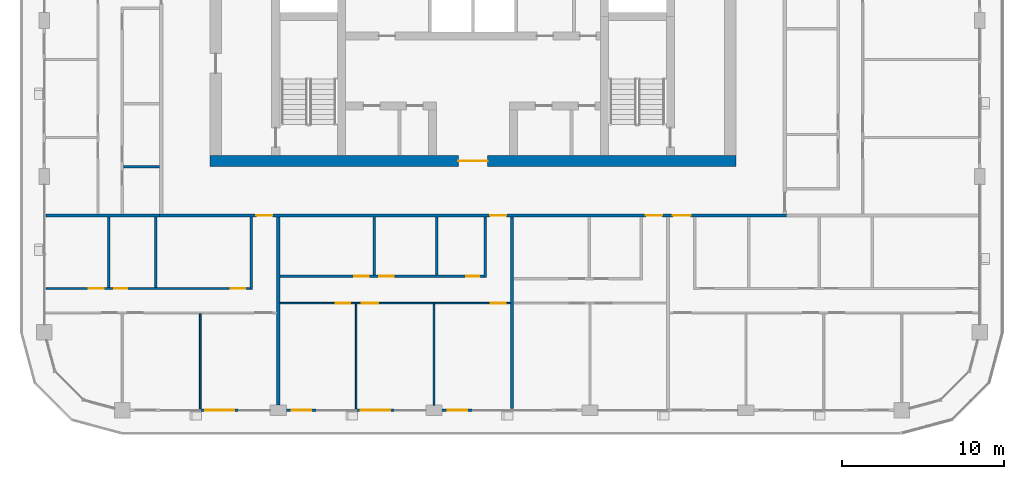
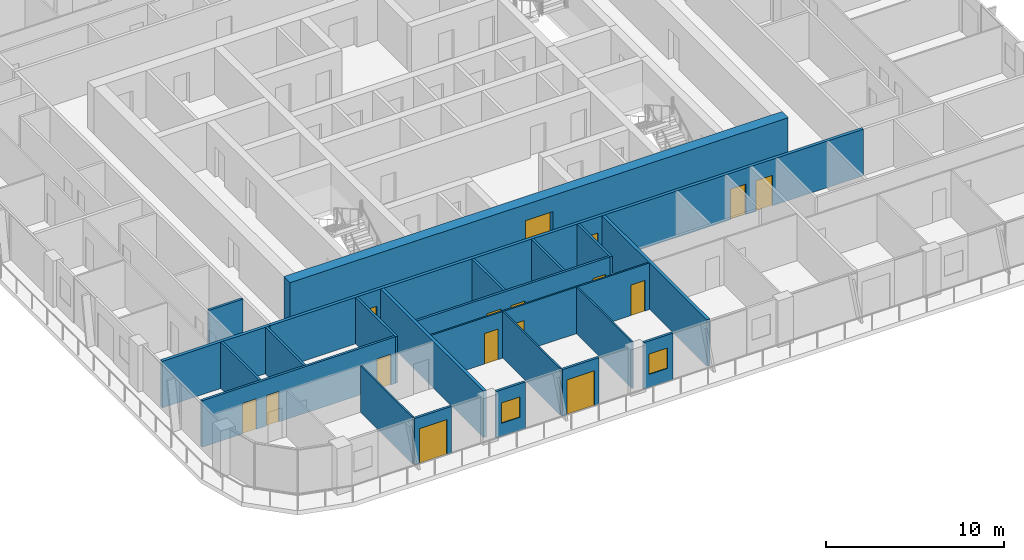
# One storey, part 9 of 22: 22 walls, 16 doors, 2 windows, 18 openings.
"""IFC4 building model written with IfcOpenShell, lengths in metres."""

import ifcopenshell
import ifcopenshell.guid

model = None  # the IFC model being written
_history = None  # IfcOwnerHistory: only IFC2X3 demands one
_inside = {}  # id of a spatial element -> (the spatial element, [elements in it])
_under = {}  # id of a project, library or spatial element -> (it, [spatial elements below it])
_declared = {}  # id of a project -> (the project, [libraries it declares])
_typed = {}  # id of a type object -> (the type object, [elements of that type])
_made_of = {}  # id of a material, layer set ... -> (it, [elements and type objects made of it])


def new_model(schema):
    """Start an empty IFC model of exactly this schema.

    Asked for "IFC4X3", IfcOpenShell would pick the latest addendum, in which some entities
    have other attributes; the version numbers below select the first issue.
    IFC2X3 requires an IfcOwnerHistory on every rooted entity: one is made here for all.
    """
    global model, _history
    if schema == "IFC4X3":
        model = ifcopenshell.file(schema_version=(4, 3, 0, 0))
    else:
        model = ifcopenshell.file(schema=schema)
    _inside.clear()
    _under.clear()
    _declared.clear()
    _typed.clear()
    _made_of.clear()
    _history = None
    if model.schema == "IFC2X3":
        org = make("IfcOrganization", Name="unknown")
        user = make(
            "IfcPersonAndOrganization",
            ThePerson=make("IfcPerson", FamilyName="unknown"),
            TheOrganization=org,
        )
        app = make(
            "IfcApplication",
            ApplicationDeveloper=org,
            Version="unknown",
            ApplicationFullName="unknown",
            ApplicationIdentifier="unknown",
        )
        _history = make(
            "IfcOwnerHistory",
            OwningUser=user,
            OwningApplication=app,
            ChangeAction="ADDED",
            CreationDate=0,
        )
    return model


def make(cls, **values):
    """One entity of the class cls with the attributes given. An attribute that is None is left unset."""
    return model.create_entity(
        cls, **{name: value for name, value in values.items() if value is not None}
    )


def rooted(cls, **values):
    """An entity with a GlobalId (a new one), such as an element, a storey or a relation."""
    return make(cls, GlobalId=ifcopenshell.guid.new(), OwnerHistory=_history, **values)


def si_unit(unit_type, name, prefix=None):
    """IfcSIUnit, for example si_unit("LENGTHUNIT", "METRE", prefix="MILLI")."""
    return make("IfcSIUnit", UnitType=unit_type, Prefix=prefix, Name=name)


def assignment(units):
    """IfcUnitAssignment: the units of a project."""
    return None if units is None else make("IfcUnitAssignment", Units=units)


def point(xyz):
    """IfcCartesianPoint."""
    return None if xyz is None else make("IfcCartesianPoint", Coordinates=xyz)


def direction(xyz):
    """IfcDirection."""
    return None if xyz is None else make("IfcDirection", DirectionRatios=xyz)


def frame(location, z_axis=None, x_axis=None):
    """IfcAxis2Placement3D, a coordinate frame: its origin and axes. An axis left out is left unset."""
    return make(
        "IfcAxis2Placement3D",
        Location=point(location),
        Axis=direction(z_axis),
        RefDirection=direction(x_axis),
    )


def frame_2d(location, x_axis=None):
    """IfcAxis2Placement2D, a coordinate frame in the plane: its origin and x axis."""
    return make(
        "IfcAxis2Placement2D", Location=point(location), RefDirection=direction(x_axis)
    )


def origin():
    """The frame at (0, 0, 0) with its axes left unset."""
    return frame((0.0, 0.0, 0.0))


def place(relative_to, where):
    """IfcLocalPlacement: puts the frame where relative to a parent placement (None: the world)."""
    return make(
        "IfcLocalPlacement", PlacementRelTo=relative_to, RelativePlacement=where
    )


def context(
    kind, dimensions, precision=None, world=None, true_north=None, identifier=None
):
    """IfcGeometricRepresentationContext, for example the 3D "Model" context."""
    return make(
        "IfcGeometricRepresentationContext",
        ContextIdentifier=identifier,
        ContextType=kind,
        CoordinateSpaceDimension=dimensions,
        Precision=precision,
        WorldCoordinateSystem=world,
        TrueNorth=true_north,
    )


def subcontext(parent, identifier, kind, view, scale=None):
    """IfcGeometricRepresentationSubContext, for example "Body" below "Model"."""
    return make(
        "IfcGeometricRepresentationSubContext",
        ContextIdentifier=identifier,
        ContextType=kind,
        ParentContext=parent,
        TargetScale=scale,
        TargetView=view,
    )


def project(units=None, contexts=None):
    """IfcProject with its units and contexts."""
    return rooted(
        "IfcProject",
        Name="project",
        RepresentationContexts=contexts,
        UnitsInContext=assignment(units),
    )


def spatial(cls, under=None, at=None, **own):
    """A site, building, storey or space (cls), placed at a placement, below another one or the project."""
    s = rooted(cls, ObjectPlacement=at, **own)
    if under is not None:
        _under.setdefault(under.id(), (under, []))[1].append(s)
    return s


def profile(cls, at=None, kind="AREA", **sizes):
    """A parametric profile (cls). Its sizes go by their IFC names, for example OverallWidth=200.0."""
    return make(cls, ProfileType=kind, Position=at, **sizes)


def rectangle(**sizes):
    """IfcRectangleProfileDef."""
    return profile("IfcRectangleProfileDef", **sizes)


def extrude(swept, where, along, depth):
    """IfcExtrudedAreaSolid: the profile swept, set in the frame where, extruded along a direction by depth."""
    return make(
        "IfcExtrudedAreaSolid",
        SweptArea=swept,
        Position=where,
        ExtrudedDirection=direction(along),
        Depth=depth,
    )


def shape(context_of_items, identifier, shape_type, items):
    """IfcShapeRepresentation: the items that make up one representation, for example the "Body"."""
    return make(
        "IfcShapeRepresentation",
        ContextOfItems=context_of_items,
        RepresentationIdentifier=identifier,
        RepresentationType=shape_type,
        Items=items,
    )


def material(Name=None, Category=None):
    """IfcMaterial."""
    return make("IfcMaterial", Name=Name, Category=Category)


def layer(
    of_material, thickness, ventilated=None, Name=None, Category=None, Priority=None
):
    """IfcMaterialLayer: one layer of a wall or slab, of a material (None: an air gap)."""
    return make(
        "IfcMaterialLayer",
        Material=of_material,
        LayerThickness=thickness,
        IsVentilated=ventilated,
        Name=Name,
        Category=Category,
        Priority=Priority,
    )


def layer_set(layers, Name=None):
    """IfcMaterialLayerSet."""
    return make("IfcMaterialLayerSet", MaterialLayers=layers, LayerSetName=Name)


def made_of(thing, what):
    """Note that an element or type object is made of a material, layer set ...; save() writes the relation."""
    if what is not None:
        _made_of.setdefault(what.id(), (what, []))[1].append(thing)
    return thing


def type_object(cls, material=None, **own):
    """A type object (cls), such as IfcWallType, which elements share."""
    return made_of(rooted(cls, **own), material)


def element(
    cls,
    number,
    at=None,
    inside=None,
    cuts=None,
    type_object=None,
    material=None,
    context=None,
    identifier="Body",
    shape_type=None,
    held_by="IfcProductDefinitionShape",
    body=None,
    shapes=None,
    **own,
):
    """One element of the class cls, such as IfcWall. Its Tag is "e" and its number.

    at: its placement. inside: the storey or other place that contains it. cuts: it is an
    opening in that element (IfcRelVoidsElement). A single representation is given by context,
    identifier, shape_type and body (its items); several are given by shapes. held_by: the class
    of the entity that holds the representations. save() writes the other relations.
    """
    e = rooted(cls, Tag="e%d" % number, ObjectPlacement=at, **own)
    if body is not None:
        shapes = [shape(context, identifier, shape_type, body)]
    if shapes is not None:
        e.Representation = make(held_by, Representations=shapes)
    if inside is not None:
        _inside.setdefault(inside.id(), (inside, []))[1].append(e)
    if cuts is not None:
        rooted(
            "IfcRelVoidsElement", RelatingBuildingElement=cuts, RelatedOpeningElement=e
        )
    if type_object is not None:
        _typed.setdefault(type_object.id(), (type_object, []))[1].append(e)
    return made_of(e, material)


def fill(opening, filler):
    """IfcRelFillsElement: the door or window that sits in an opening."""
    return rooted(
        "IfcRelFillsElement",
        RelatingOpeningElement=opening,
        RelatedBuildingElement=filler,
    )


def aggregate(whole, parts):
    """IfcRelAggregates: a whole, such as a stair, and the parts it consists of."""
    return rooted("IfcRelAggregates", RelatingObject=whole, RelatedObjects=parts)


def save(model, path):
    """Write the relations noted so far, then the file.

    IfcRelAggregates (storeys below a building ...), IfcRelContainedInSpatialStructure (elements
    in a storey), IfcRelDefinesByType, IfcRelAssociatesMaterial and IfcRelDeclares: one each for
    every whole, place, type object, material and project.
    """
    for whole, parts in _under.values():
        aggregate(whole, parts)
    for where, things in _inside.values():
        rooted(
            "IfcRelContainedInSpatialStructure",
            RelatedElements=things,
            RelatingStructure=where,
        )
    for kind, things in _typed.values():
        rooted("IfcRelDefinesByType", RelatedObjects=things, RelatingType=kind)
    for what, things in _made_of.values():
        rooted("IfcRelAssociatesMaterial", RelatedObjects=things, RelatingMaterial=what)
    for by, libraries in _declared.values():
        rooted("IfcRelDeclares", RelatingContext=by, RelatedDefinitions=libraries)
    model.write(path)


model = new_model("IFC4")

# Units and contexts
model_context = context("Model", 3, precision=1e-05, world=origin(), true_north=direction((0.0, 1.0)))
body_context = subcontext(model_context, "Body", "Model", "MODEL_VIEW")
ifc_project = project(units=[si_unit("LENGTHUNIT", "METRE"), si_unit("AREAUNIT", "SQUARE_METRE"), si_unit("VOLUMEUNIT", "CUBIC_METRE"), si_unit("PLANEANGLEUNIT", "RADIAN"), si_unit("MASSUNIT", "GRAM", prefix="KILO")], contexts=[model_context])

# Site, building, storey
site_placement = place(None, origin())
site = spatial("IfcSite", under=ifc_project, at=site_placement, CompositionType="ELEMENT")
building_placement = place(site_placement, origin())
building = spatial("IfcBuilding", under=site, at=building_placement, Name="Madar Terraces", CompositionType="ELEMENT")
storey_placement = place(building_placement, frame((0.0, 0.0, 182.39990234375)))
storey = spatial("IfcBuildingStorey", under=building, at=storey_placement, Name="L47", CompositionType="ELEMENT", Elevation=182.39990234375)

# Wall, opening, door
ifc_material_1 = material(Name="Concrete C60/75", Category="concrete")
ifc_layer_1 = layer(ifc_material_1, 0.699951171875)
ifc_layer_set_1 = layer_set([ifc_layer_1], Name="Concrete C60/75 (CRW4 RC wall 700)")
wall_type_1 = type_object("IfcWallType", Name="CRW4 RC wall 700", PredefinedType="SHEAR", material=ifc_layer_set_1)
wall_1_placement = place(storey_placement, frame((15.0, 15.35009765625, 0.0), z_axis=(0.0, 0.0, 1.0), x_axis=(1.0, 0.0, 0.0)))
wall_1 = element("IfcWall", 1, at=wall_1_placement, inside=storey, type_object=wall_type_1, Name="CORE OUTER WALL", PredefinedType="SHEAR", context=body_context, shape_type="SweptSolid", body=[
    extrude(rectangle(XDim=32.39990234375, YDim=0.699951171875, at=frame_2d((16.199951171875, 0.0))), origin(), (0.0, 0.0, 1.0), 3.2001953125),
])
opening_1_placement = place(wall_1_placement, frame((15.300048828125, 0.0, 0.0)))
opening_1 = element("IfcOpeningElement", 2, at=opening_1_placement, cuts=wall_1, Name="Opening KD1", PredefinedType="OPENING", context=body_context, shape_type="SweptSolid", body=[
    extrude(rectangle(XDim=1.800048828125, YDim=2.10009765625, at=frame_2d((0.89990234375, 1.050048828125))), frame((0.0, 0.35986328125, 0.0), z_axis=(0.0, -1.0, 0.0), x_axis=(1.0, 0.0, 0.0)), (0.0, 0.0, 1.0), 0.719970703125),
])
ifc_material_2 = material(Name="Steel door leaf", Category="steel")
door_type_1 = type_object("IfcDoorType", Name="Lobby door pair 1800 x 2100", OperationType="DOUBLE_DOOR_SINGLE_SWING", PredefinedType="DOOR", material=ifc_material_2)
door_1_placement = place(opening_1_placement, frame((1.800048828125, 0.0, 0.0), z_axis=(0.0, 0.0, 1.0), x_axis=(-1.0, 0.0, 0.0)))
door_1 = element("IfcDoor", 3, at=door_1_placement, inside=storey, type_object=door_type_1, Name="LIFT LOBBY DOOR", OperationType="DOUBLE_DOOR_SINGLE_SWING", OverallHeight=2.10009765625, OverallWidth=1.800048828125, PredefinedType="DOOR", context=body_context, shape_type="SweptSolid", body=[
    extrude(rectangle(XDim=1.800048828125, YDim=2.10009765625, at=frame_2d((0.89990234375, 1.050048828125))), frame((0.0, 0.02490234375, 0.0), z_axis=(0.0, -1.0, 0.0), x_axis=(1.0, 0.0, 0.0)), (0.0, 0.0, 1.0), 0.050048828125),
])
fill(opening_1, door_1)

ifc_material_3 = material(Name="Aluminium composite panel, black, over insulated backing", Category="aluminium")
ifc_layer_2 = layer(ifc_material_3, 0.14990234375)
ifc_layer_set_2 = layer_set([ifc_layer_2], Name="Facade bay panel 150")
wall_type_2 = type_object("IfcWallType", Name="Facade bay panel 150", PredefinedType="SOLIDWALL", material=ifc_layer_set_2)
wall_2_placement = place(storey_placement, frame((14.39990234375, 0.0, 0.0), z_axis=(0.0, 0.0, 1.0), x_axis=(1.0, 0.0, 0.0)))
wall_2 = element("IfcWall", 4, at=wall_2_placement, inside=storey, type_object=wall_type_2, Name="Facade bay panel", PredefinedType="SOLIDWALL", context=body_context, shape_type="SweptSolid", body=[
    extrude(rectangle(XDim=2.400146484375, YDim=0.14990234375, at=frame_2d((1.2001953125, 0.0))), origin(), (0.0, 0.0, 1.0), 3.2001953125),
])
opening_2_placement = place(wall_2_placement, frame((0.300048828125, 0.0, 0.0)))
opening_2 = element("IfcOpeningElement", 5, at=opening_2_placement, cuts=wall_2, Name="Opening ED1", PredefinedType="OPENING", context=body_context, shape_type="SweptSolid", body=[
    extrude(rectangle(XDim=1.800048828125, YDim=2.39990234375, at=frame_2d((0.89990234375, 1.199951171875))), frame((0.0, 0.0849609375, 0.0), z_axis=(0.0, -1.0, 0.0), x_axis=(1.0, 0.0, 0.0)), (0.0, 0.0, 1.0), 0.169921875),
])
ifc_material_4 = material(Name="Glass, clear, with black aluminium frame", Category="aluminium")
door_type_2 = type_object("IfcDoorType", Name="Balcony and terrace sliding door 1800 x 2400", OperationType="SLIDING_TO_LEFT", PredefinedType="DOOR", material=ifc_material_4)
door_2_placement = place(opening_2_placement, origin())
door_2 = element("IfcDoor", 6, at=door_2_placement, inside=storey, type_object=door_type_2, Name="Balcony door", OperationType="SLIDING_TO_LEFT", OverallHeight=2.39990234375, OverallWidth=1.800048828125, PredefinedType="DOOR", context=body_context, shape_type="SweptSolid", body=[
    extrude(rectangle(XDim=1.800048828125, YDim=2.39990234375, at=frame_2d((0.89990234375, 1.199951171875))), frame((0.0, 0.02490234375, 0.0), z_axis=(0.0, -1.0, 0.0), x_axis=(1.0, 0.0, 0.0)), (0.0, 0.0, 1.0), 0.050048828125),
])
fill(opening_2, door_2)

# Wall, opening, window
wall_3_placement = place(storey_placement, frame((19.699951171875, 0.0, 0.0), z_axis=(0.0, 0.0, 1.0), x_axis=(1.0, 0.0, 0.0)))
wall_3 = element("IfcWall", 7, at=wall_3_placement, inside=storey, type_object=wall_type_2, Name="Facade bay panel", PredefinedType="SOLIDWALL", context=body_context, shape_type="SweptSolid", body=[
    extrude(rectangle(XDim=1.900146484375, YDim=0.14990234375, at=frame_2d((0.9501953125, 0.0))), origin(), (0.0, 0.0, 1.0), 3.2001953125),
])
opening_3_placement = place(wall_3_placement, frame((0.35009765625, 0.0, 0.89990234375)))
opening_3 = element("IfcOpeningElement", 8, at=opening_3_placement, cuts=wall_3, Name="Opening W1", PredefinedType="OPENING", context=body_context, shape_type="SweptSolid", body=[
    extrude(rectangle(XDim=1.199951171875, YDim=1.39990234375, at=frame_2d((0.60009765625, 0.699951171875))), frame((0.0, 0.0849609375, 0.0), z_axis=(0.0, -1.0, 0.0), x_axis=(1.0, 0.0, 0.0)), (0.0, 0.0, 1.0), 0.169921875),
])
ifc_material_5 = material(Name="Glass, clear, with black aluminium frame", Category="aluminium")
window_type = type_object("IfcWindowType", Name="Vent window 1200 x 1400", PartitioningType="SINGLE_PANEL", PredefinedType="WINDOW", material=ifc_material_5)
window_1_placement = place(opening_3_placement, origin())
window_1 = element("IfcWindow", 9, at=window_1_placement, inside=storey, type_object=window_type, Name="Operable vent window", OverallHeight=1.39990234375, OverallWidth=1.199951171875, PartitioningType="SINGLE_PANEL", PredefinedType="WINDOW", context=body_context, shape_type="SweptSolid", body=[
    extrude(rectangle(XDim=1.199951171875, YDim=1.39990234375, at=frame_2d((0.60009765625, 0.699951171875))), frame((0.0, 0.030029296875, 0.0), z_axis=(0.0, -1.0, 0.0), x_axis=(1.0, 0.0, 0.0)), (0.0, 0.0, 1.0), 0.06005859375),
])
fill(opening_3, window_1)

# Wall, opening, door
wall_4_placement = place(storey_placement, frame((24.0, 0.0, 0.0), z_axis=(0.0, 0.0, 1.0), x_axis=(1.0, 0.0, 0.0)))
wall_4 = element("IfcWall", 10, at=wall_4_placement, inside=storey, type_object=wall_type_2, Name="Facade bay panel", PredefinedType="SOLIDWALL", context=body_context, shape_type="SweptSolid", body=[
    extrude(rectangle(XDim=2.39990234375, YDim=0.14990234375, at=frame_2d((1.199951171875, 0.0))), origin(), (0.0, 0.0, 1.0), 3.2001953125),
])
opening_4_placement = place(wall_4_placement, frame((0.300048828125, 0.0, 0.0)))
opening_4 = element("IfcOpeningElement", 11, at=opening_4_placement, cuts=wall_4, Name="Opening ED1", PredefinedType="OPENING", context=body_context, shape_type="SweptSolid", body=[
    extrude(rectangle(XDim=1.800048828125, YDim=2.39990234375, at=frame_2d((0.89990234375, 1.199951171875))), frame((0.0, 0.0849609375, 0.0), z_axis=(0.0, -1.0, 0.0), x_axis=(1.0, 0.0, 0.0)), (0.0, 0.0, 1.0), 0.169921875),
])
door_3_placement = place(opening_4_placement, origin())
door_3 = element("IfcDoor", 12, at=door_3_placement, inside=storey, type_object=door_type_2, Name="Balcony door", OperationType="SLIDING_TO_RIGHT", OverallHeight=2.39990234375, OverallWidth=1.800048828125, PredefinedType="DOOR", context=body_context, shape_type="SweptSolid", body=[
    extrude(rectangle(XDim=1.800048828125, YDim=2.39990234375, at=frame_2d((0.89990234375, 1.199951171875))), frame((0.0, 0.02490234375, 0.0), z_axis=(0.0, -1.0, 0.0), x_axis=(1.0, 0.0, 0.0)), (0.0, 0.0, 1.0), 0.050048828125),
])
fill(opening_4, door_3)

# Wall, opening, window
wall_5_placement = place(storey_placement, frame((29.300048828125, 0.0, 0.0), z_axis=(0.0, 0.0, 1.0), x_axis=(1.0, 0.0, 0.0)))
wall_5 = element("IfcWall", 13, at=wall_5_placement, inside=storey, type_object=wall_type_2, Name="Facade bay panel", PredefinedType="SOLIDWALL", context=body_context, shape_type="SweptSolid", body=[
    extrude(rectangle(XDim=1.89990234375, YDim=0.14990234375, at=frame_2d((0.949951171875, 0.0))), origin(), (0.0, 0.0, 1.0), 3.2001953125),
])
opening_5_placement = place(wall_5_placement, frame((0.35009765625, 0.0, 0.89990234375)))
opening_5 = element("IfcOpeningElement", 14, at=opening_5_placement, cuts=wall_5, Name="Opening W1", PredefinedType="OPENING", context=body_context, shape_type="SweptSolid", body=[
    extrude(rectangle(XDim=1.199951171875, YDim=1.39990234375, at=frame_2d((0.60009765625, 0.699951171875))), frame((0.0, 0.0849609375, 0.0), z_axis=(0.0, -1.0, 0.0), x_axis=(1.0, 0.0, 0.0)), (0.0, 0.0, 1.0), 0.169921875),
])
window_2_placement = place(opening_5_placement, origin())
window_2 = element("IfcWindow", 15, at=window_2_placement, inside=storey, type_object=window_type, Name="Operable vent window", OverallHeight=1.39990234375, OverallWidth=1.199951171875, PartitioningType="SINGLE_PANEL", PredefinedType="WINDOW", context=body_context, shape_type="SweptSolid", body=[
    extrude(rectangle(XDim=1.199951171875, YDim=1.39990234375, at=frame_2d((0.60009765625, 0.699951171875))), frame((0.0, 0.030029296875, 0.0), z_axis=(0.0, -1.0, 0.0), x_axis=(1.0, 0.0, 0.0)), (0.0, 0.0, 1.0), 0.06005859375),
])
fill(opening_5, window_2)

# Walls
ifc_material_6 = material(Name="Gypsum board on steel studs", Category="steel")
ifc_layer_3 = layer(ifc_material_6, 0.10009765625)
ifc_layer_set_3 = layer_set([ifc_layer_3], Name="Flat partition 100")
wall_type_3 = type_object("IfcWallType", Name="Flat partition 100", PredefinedType="PARTITIONING", material=ifc_layer_set_3)
wall_6_placement = place(storey_placement, frame((14.39990234375, 5.949951171875, 0.0), z_axis=(0.0, 0.0, 1.0), x_axis=(0.0, -1.0, 0.0)))
element("IfcWall", 16, at=wall_6_placement, inside=storey, type_object=wall_type_3, Name="Flat partition 100", PredefinedType="PARTITIONING", context=body_context, shape_type="SweptSolid", body=[
    extrude(rectangle(XDim=5.849853515625, YDim=0.10009765625, at=frame_2d((2.9248046875, 0.0))), origin(), (0.0, 0.0, 1.0), 3.2001953125),
])
wall_7_placement = place(storey_placement, frame((28.800048828125, 6.550048828125, 0.0), z_axis=(0.0, 0.0, 1.0), x_axis=(0.0, -1.0, 0.0)))
element("IfcWall", 17, at=wall_7_placement, inside=storey, type_object=wall_type_3, Name="Flat partition 100", PredefinedType="PARTITIONING", context=body_context, shape_type="SweptSolid", body=[
    extrude(rectangle(XDim=6.22509765625, YDim=0.10009765625, at=frame_2d((3.112548828125, 0.0))), origin(), (0.0, 0.0, 1.0), 3.2001953125),
])
wall_8_placement = place(storey_placement, frame((24.0, 6.550048828125, 0.0), z_axis=(0.0, 0.0, 1.0), x_axis=(0.0, -1.0, 0.0)))
element("IfcWall", 18, at=wall_8_placement, inside=storey, type_object=wall_type_3, Name="Flat partition 100", PredefinedType="PARTITIONING", context=body_context, shape_type="SweptSolid", body=[
    extrude(rectangle(XDim=6.449951171875, YDim=0.10009765625, at=frame_2d((3.22509765625, 0.0))), origin(), (0.0, 0.0, 1.0), 3.2001953125),
])

# Wall, openings, doors
wall_9_placement = place(storey_placement, frame((33.5, 6.60009765625, 0.0), z_axis=(0.0, 0.0, 1.0), x_axis=(-1.0, 0.0, 0.0)))
wall_9 = element("IfcWall", 19, at=wall_9_placement, inside=storey, type_object=wall_type_3, Name="Flat partition 100", PredefinedType="PARTITIONING", context=body_context, shape_type="SweptSolid", body=[
    extrude(rectangle(XDim=14.199951171875, YDim=0.10009765625, at=frame_2d((7.10009765625, 0.0))), origin(), (0.0, 0.0, 1.0), 3.2001953125),
])
opening_6_placement = place(wall_9_placement, frame((0.300048828125, 0.0, 0.0)))
opening_6 = element("IfcOpeningElement", 20, at=opening_6_placement, cuts=wall_9, Name="Opening D2", PredefinedType="OPENING", context=body_context, shape_type="SweptSolid", body=[
    extrude(rectangle(XDim=0.89990234375, YDim=2.10009765625, at=frame_2d((0.449951171875, 1.050048828125))), frame((0.0, 0.06005859375, 0.0), z_axis=(0.0, -1.0, 0.0), x_axis=(1.0, 0.0, 0.0)), (0.0, 0.0, 1.0), 0.1201171875),
])
opening_7_placement = place(wall_9_placement, frame((8.14990234375, 0.0, 0.0)))
opening_7 = element("IfcOpeningElement", 21, at=opening_7_placement, cuts=wall_9, Name="Opening D3", PredefinedType="OPENING", context=body_context, shape_type="SweptSolid", body=[
    extrude(rectangle(XDim=1.0, YDim=2.10009765625, at=frame_2d((0.5, 1.050048828125))), frame((0.0, 0.06005859375, 0.0), z_axis=(0.0, -1.0, 0.0), x_axis=(1.0, 0.0, 0.0)), (0.0, 0.0, 1.0), 0.1201171875),
])
opening_8_placement = place(wall_9_placement, frame((9.85009765625, 0.0, 0.0)))
opening_8 = element("IfcOpeningElement", 22, at=opening_8_placement, cuts=wall_9, Name="Opening D2", PredefinedType="OPENING", context=body_context, shape_type="SweptSolid", body=[
    extrude(rectangle(XDim=0.89990234375, YDim=2.10009765625, at=frame_2d((0.449951171875, 1.050048828125))), frame((0.0, 0.06005859375, 0.0), z_axis=(0.0, -1.0, 0.0), x_axis=(1.0, 0.0, 0.0)), (0.0, 0.0, 1.0), 0.1201171875),
])
ifc_material_7 = material(Name="Timber door leaf", Category="wood")
door_type_3 = type_object("IfcDoorType", Name="Flat living room door 1000", OperationType="NOTDEFINED", PredefinedType="DOOR", material=ifc_material_7)
door_4_placement = place(opening_7_placement, origin())
door_4 = element("IfcDoor", 23, at=door_4_placement, inside=storey, type_object=door_type_3, Name="Flat living room door 1000", OperationType="SINGLE_SWING_RIGHT", OverallHeight=2.10009765625, OverallWidth=1.0, PredefinedType="DOOR", context=body_context, shape_type="SweptSolid", body=[
    extrude(rectangle(XDim=1.0, YDim=2.10009765625, at=frame_2d((0.5, 1.050048828125))), frame((0.0, 0.02490234375, 0.0), z_axis=(0.0, -1.0, 0.0), x_axis=(1.0, 0.0, 0.0)), (0.0, 0.0, 1.0), 0.050048828125),
])
fill(opening_7, door_4)
ifc_material_8 = material(Name="Timber door leaf", Category="wood")
door_type_4 = type_object("IfcDoorType", Name="Flat room door 900", OperationType="NOTDEFINED", PredefinedType="DOOR", material=ifc_material_8)
door_5_placement = place(opening_6_placement, origin())
door_5 = element("IfcDoor", 24, at=door_5_placement, inside=storey, type_object=door_type_4, Name="Flat room door 900", OperationType="SINGLE_SWING_LEFT", OverallHeight=2.10009765625, OverallWidth=0.89990234375, PredefinedType="DOOR", context=body_context, shape_type="SweptSolid", body=[
    extrude(rectangle(XDim=0.89990234375, YDim=2.10009765625, at=frame_2d((0.449951171875, 1.050048828125))), frame((0.0, 0.02490234375, 0.0), z_axis=(0.0, -1.0, 0.0), x_axis=(1.0, 0.0, 0.0)), (0.0, 0.0, 1.0), 0.050048828125),
])
fill(opening_6, door_5)
door_6_placement = place(opening_8_placement, origin())
door_6 = element("IfcDoor", 25, at=door_6_placement, inside=storey, type_object=door_type_4, Name="Flat room door 900", OperationType="SINGLE_SWING_LEFT", OverallHeight=2.10009765625, OverallWidth=0.89990234375, PredefinedType="DOOR", context=body_context, shape_type="SweptSolid", body=[
    extrude(rectangle(XDim=0.89990234375, YDim=2.10009765625, at=frame_2d((0.449951171875, 1.050048828125))), frame((0.0, 0.02490234375, 0.0), z_axis=(0.0, -1.0, 0.0), x_axis=(1.0, 0.0, 0.0)), (0.0, 0.0, 1.0), 0.050048828125),
])
fill(opening_8, door_6)

ifc_material_9 = material(Name="Lightweight blockwork", Category="masonry")
ifc_layer_4 = layer(ifc_material_9, 0.199951171875)
ifc_layer_set_4 = layer_set([ifc_layer_4], Name="Flat party and entrance wall 200")
wall_type_4 = type_object("IfcWallType", Name="Flat party and entrance wall 200", PredefinedType="PARTITIONING", material=ifc_layer_set_4)
wall_10_placement = place(storey_placement, frame((50.5, 12.0, 0.0), z_axis=(0.0, 0.0, 1.0), x_axis=(-1.0, 0.0, 0.0)))
wall_10 = element("IfcWall", 26, at=wall_10_placement, inside=storey, type_object=wall_type_4, Name="Flat party and entrance wall 200", PredefinedType="PARTITIONING", context=body_context, shape_type="SweptSolid", body=[
    extrude(rectangle(XDim=38.60009765625, YDim=0.199951171875, at=frame_2d((19.300048828125, 0.0))), origin(), (0.0, 0.0, 1.0), 3.2001953125),
])
opening_9_placement = place(wall_10_placement, frame((31.64990234375, 0.0, 0.0)))
opening_9 = element("IfcOpeningElement", 27, at=opening_9_placement, cuts=wall_10, Name="Opening D1", PredefinedType="OPENING", context=body_context, shape_type="SweptSolid", body=[
    extrude(rectangle(XDim=1.0, YDim=2.10009765625, at=frame_2d((0.5, 1.050048828125))), frame((0.0, 0.10986328125, 0.0), z_axis=(0.0, -1.0, 0.0), x_axis=(1.0, 0.0, 0.0)), (0.0, 0.0, 1.0), 0.219970703125),
])
opening_10_placement = place(wall_10_placement, frame((17.25, 0.0, 0.0)))
opening_10 = element("IfcOpeningElement", 28, at=opening_10_placement, cuts=wall_10, Name="Opening D1", PredefinedType="OPENING", context=body_context, shape_type="SweptSolid", body=[
    extrude(rectangle(XDim=1.0, YDim=2.10009765625, at=frame_2d((0.5, 1.050048828125))), frame((0.0, 0.10986328125, 0.0), z_axis=(0.0, -1.0, 0.0), x_axis=(1.0, 0.0, 0.0)), (0.0, 0.0, 1.0), 0.219970703125),
])
opening_11_placement = place(wall_10_placement, frame((7.64990234375, 0.0, 0.0)))
opening_11 = element("IfcOpeningElement", 29, at=opening_11_placement, cuts=wall_10, Name="Opening D1", PredefinedType="OPENING", context=body_context, shape_type="SweptSolid", body=[
    extrude(rectangle(XDim=1.0, YDim=2.10009765625, at=frame_2d((0.5, 1.050048828125))), frame((0.0, 0.10986328125, 0.0), z_axis=(0.0, -1.0, 0.0), x_axis=(1.0, 0.0, 0.0)), (0.0, 0.0, 1.0), 0.219970703125),
])
opening_12_placement = place(wall_10_placement, frame((5.89990234375, 0.0, 0.0)))
opening_12 = element("IfcOpeningElement", 30, at=opening_12_placement, cuts=wall_10, Name="Opening D6", PredefinedType="OPENING", context=body_context, shape_type="SweptSolid", body=[
    extrude(rectangle(XDim=1.10009765625, YDim=2.10009765625, at=frame_2d((0.550048828125, 1.050048828125))), frame((0.0, 0.10986328125, 0.0), z_axis=(0.0, -1.0, 0.0), x_axis=(1.0, 0.0, 0.0)), (0.0, 0.0, 1.0), 0.219970703125),
])
ifc_material_10 = material(Name="Timber fire door leaf", Category="wood")
door_type_5 = type_object("IfcDoorType", Name="Flat entrance door 1000 FD30S", OperationType="NOTDEFINED", PredefinedType="DOOR", material=ifc_material_10)
door_7_placement = place(opening_9_placement, origin())
door_7 = element("IfcDoor", 31, at=door_7_placement, inside=storey, type_object=door_type_5, Name="Flat entrance door 1000 FD30S", OperationType="SINGLE_SWING_LEFT", OverallHeight=2.10009765625, OverallWidth=1.0, PredefinedType="DOOR", context=body_context, shape_type="SweptSolid", body=[
    extrude(rectangle(XDim=1.0, YDim=2.10009765625, at=frame_2d((0.5, 1.050048828125))), frame((0.0, 0.02490234375, 0.0), z_axis=(0.0, -1.0, 0.0), x_axis=(1.0, 0.0, 0.0)), (0.0, 0.0, 1.0), 0.050048828125),
])
fill(opening_9, door_7)
door_8_placement = place(opening_10_placement, origin())
door_8 = element("IfcDoor", 32, at=door_8_placement, inside=storey, type_object=door_type_5, Name="Flat entrance door 1000 FD30S", OperationType="SINGLE_SWING_LEFT", OverallHeight=2.10009765625, OverallWidth=1.0, PredefinedType="DOOR", context=body_context, shape_type="SweptSolid", body=[
    extrude(rectangle(XDim=1.0, YDim=2.10009765625, at=frame_2d((0.5, 1.050048828125))), frame((0.0, 0.02490234375, 0.0), z_axis=(0.0, -1.0, 0.0), x_axis=(1.0, 0.0, 0.0)), (0.0, 0.0, 1.0), 0.050048828125),
])
fill(opening_10, door_8)
door_9_placement = place(opening_11_placement, origin())
door_9 = element("IfcDoor", 33, at=door_9_placement, inside=storey, type_object=door_type_5, Name="Flat entrance door 1000 FD30S", OperationType="SINGLE_SWING_LEFT", OverallHeight=2.10009765625, OverallWidth=1.0, PredefinedType="DOOR", context=body_context, shape_type="SweptSolid", body=[
    extrude(rectangle(XDim=1.0, YDim=2.10009765625, at=frame_2d((0.5, 1.050048828125))), frame((0.0, 0.02490234375, 0.0), z_axis=(0.0, -1.0, 0.0), x_axis=(1.0, 0.0, 0.0)), (0.0, 0.0, 1.0), 0.050048828125),
])
fill(opening_11, door_9)
ifc_material_11 = material(Name="Timber fire door leaf", Category="wood")
door_type_6 = type_object("IfcDoorType", Name="Flat entrance door 1100 FD30S", OperationType="NOTDEFINED", PredefinedType="DOOR", material=ifc_material_11)
door_10_placement = place(opening_12_placement, origin())
door_10 = element("IfcDoor", 34, at=door_10_placement, inside=storey, type_object=door_type_6, Name="Flat entrance door 1100 FD30S", OperationType="SINGLE_SWING_RIGHT", OverallHeight=2.10009765625, OverallWidth=1.10009765625, PredefinedType="DOOR", context=body_context, shape_type="SweptSolid", body=[
    extrude(rectangle(XDim=1.10009765625, YDim=2.10009765625, at=frame_2d((0.550048828125, 1.050048828125))), frame((0.0, 0.02490234375, 0.0), z_axis=(0.0, -1.0, 0.0), x_axis=(1.0, 0.0, 0.0)), (0.0, 0.0, 1.0), 0.050048828125),
])
fill(opening_12, door_10)

# Walls
wall_11_placement = place(storey_placement, frame((19.199951171875, 11.89990234375, 0.0), z_axis=(0.0, 0.0, 1.0), x_axis=(0.0, -1.0, 0.0)))
element("IfcWall", 35, at=wall_11_placement, inside=storey, type_object=wall_type_4, Name="Flat party and entrance wall 200", PredefinedType="PARTITIONING", context=body_context, shape_type="SweptSolid", body=[
    extrude(rectangle(XDim=11.574951171875, YDim=0.199951171875, at=frame_2d((5.78759765625, 0.0))), origin(), (0.0, 0.0, 1.0), 3.2001953125),
])
wall_12_placement = place(storey_placement, frame((4.89990234375, 12.0, 0.0), z_axis=(0.0, 0.0, 1.0), x_axis=(1.0, 0.0, 0.0)))
element("IfcWall", 36, at=wall_12_placement, inside=storey, type_object=wall_type_4, Name="Flat party and entrance wall 200", PredefinedType="PARTITIONING", context=body_context, shape_type="SweptSolid", body=[
    extrude(rectangle(XDim=7.0, YDim=0.199951171875, at=frame_2d((3.5, 0.0))), origin(), (0.0, 0.0, 1.0), 3.2001953125),
])
wall_13_placement = place(storey_placement, frame((33.60009765625, 11.89990234375, 0.0), z_axis=(0.0, 0.0, 1.0), x_axis=(0.0, -1.0, 0.0)))
element("IfcWall", 37, at=wall_13_placement, inside=storey, type_object=wall_type_4, Name="Flat party and entrance wall 200", PredefinedType="PARTITIONING", context=body_context, shape_type="SweptSolid", body=[
    extrude(rectangle(XDim=11.7998046875, YDim=0.199951171875, at=frame_2d((5.89990234375, 0.0))), origin(), (0.0, 0.0, 1.0), 3.2001953125),
])
ifc_material_12 = material(Name="Lightweight blockwork", Category="masonry")
ifc_layer_5 = layer(ifc_material_12, 0.14990234375)
ifc_layer_set_5 = layer_set([ifc_layer_5], Name="Flat wet-room partition 150")
wall_type_5 = type_object("IfcWallType", Name="Flat wet-room partition 150", PredefinedType="PARTITIONING", material=ifc_layer_set_5)
for number, where, z_axis, x_axis, name in (
    (38, (11.671142578125, 11.89990234375, 0.0), (0.0, 0.0, 1.0), (0.0, -1.0, 0.0), "Flat wet-room partition 150"),
    (39, (8.769287109375, 11.89990234375, 0.0), (0.0, 0.0, 1.0), (0.0, -1.0, 0.0), "Flat wet-room partition 150"),
):
    element("IfcWall", number, at=place(storey_placement, frame(where, z_axis=z_axis, x_axis=x_axis)), inside=storey, type_object=wall_type_5, Name=name, PredefinedType="PARTITIONING", context=body_context, shape_type="SweptSolid", body=[
        extrude(rectangle(XDim=4.324951171875, YDim=0.14990234375, at=frame_2d((2.16259765625, 0.0))), origin(), (0.0, 0.0, 1.0), 3.2001953125),
    ])
wall_14_placement = place(storey_placement, frame((17.550048828125, 11.89990234375, 0.0), z_axis=(0.0, 0.0, 1.0), x_axis=(0.0, -1.0, 0.0)))
element("IfcWall", 40, at=wall_14_placement, inside=storey, type_object=wall_type_5, Name="Flat wet-room partition 150", PredefinedType="PARTITIONING", context=body_context, shape_type="SweptSolid", body=[
    extrude(rectangle(XDim=4.474853515625, YDim=0.14990234375, at=frame_2d((2.2373046875, 0.0))), origin(), (0.0, 0.0, 1.0), 3.2001953125),
])

# Wall, openings, doors
wall_15_placement = place(storey_placement, frame((4.89990234375, 7.5, 0.0), z_axis=(0.0, 0.0, 1.0), x_axis=(1.0, 0.0, 0.0)))
wall_15 = element("IfcWall", 41, at=wall_15_placement, inside=storey, type_object=wall_type_5, Name="Flat wet-room partition 150", PredefinedType="PARTITIONING", context=body_context, shape_type="SweptSolid", body=[
    extrude(rectangle(XDim=12.5751953125, YDim=0.14990234375, at=frame_2d((6.28759765625, 0.0))), origin(), (0.0, 0.0, 1.0), 3.2001953125),
])
opening_13_placement = place(wall_15_placement, frame((11.375, 0.0, 0.0)))
opening_13 = element("IfcOpeningElement", 42, at=opening_13_placement, cuts=wall_15, Name="Opening D2", PredefinedType="OPENING", context=body_context, shape_type="SweptSolid", body=[
    extrude(rectangle(XDim=0.89990234375, YDim=2.10009765625, at=frame_2d((0.449951171875, 1.050048828125))), frame((0.0, 0.0849609375, 0.0), z_axis=(0.0, -1.0, 0.0), x_axis=(1.0, 0.0, 0.0)), (0.0, 0.0, 1.0), 0.169921875),
])
opening_14_placement = place(wall_15_placement, frame((4.1943359375, 0.0, 0.0)))
opening_14 = element("IfcOpeningElement", 43, at=opening_14_placement, cuts=wall_15, Name="Opening D4", PredefinedType="OPENING", context=body_context, shape_type="SweptSolid", body=[
    extrude(rectangle(XDim=0.800048828125, YDim=2.10009765625, at=frame_2d((0.39990234375, 1.050048828125))), frame((0.0, 0.0849609375, 0.0), z_axis=(0.0, -1.0, 0.0), x_axis=(1.0, 0.0, 0.0)), (0.0, 0.0, 1.0), 0.169921875),
])
opening_15_placement = place(wall_15_placement, frame((2.644287109375, 0.0, 0.0)))
opening_15 = element("IfcOpeningElement", 44, at=opening_15_placement, cuts=wall_15, Name="Opening D5", PredefinedType="OPENING", context=body_context, shape_type="SweptSolid", body=[
    extrude(rectangle(XDim=0.89990234375, YDim=2.10009765625, at=frame_2d((0.449951171875, 1.050048828125))), frame((0.0, 0.0849609375, 0.0), z_axis=(0.0, -1.0, 0.0), x_axis=(1.0, 0.0, 0.0)), (0.0, 0.0, 1.0), 0.169921875),
])
ifc_material_13 = material(Name="Timber door leaf", Category="wood")
door_type_7 = type_object("IfcDoorType", Name="Flat accessible bathroom door 900", OperationType="NOTDEFINED", PredefinedType="DOOR", material=ifc_material_13)
door_11_placement = place(opening_15_placement, origin())
door_11 = element("IfcDoor", 45, at=door_11_placement, inside=storey, type_object=door_type_7, Name="Flat accessible bathroom door 900", OperationType="SINGLE_SWING_RIGHT", OverallHeight=2.10009765625, OverallWidth=0.89990234375, PredefinedType="DOOR", context=body_context, shape_type="SweptSolid", body=[
    extrude(rectangle(XDim=0.89990234375, YDim=2.10009765625, at=frame_2d((0.449951171875, 1.050048828125))), frame((0.0, 0.02490234375, 0.0), z_axis=(0.0, -1.0, 0.0), x_axis=(1.0, 0.0, 0.0)), (0.0, 0.0, 1.0), 0.050048828125),
])
fill(opening_15, door_11)
ifc_material_14 = material(Name="Timber door leaf", Category="wood")
door_type_8 = type_object("IfcDoorType", Name="Flat bathroom door 800", OperationType="NOTDEFINED", PredefinedType="DOOR", material=ifc_material_14)
door_12_placement = place(opening_14_placement, origin())
door_12 = element("IfcDoor", 46, at=door_12_placement, inside=storey, type_object=door_type_8, Name="Flat bathroom door 800", OperationType="SINGLE_SWING_LEFT", OverallHeight=2.10009765625, OverallWidth=0.800048828125, PredefinedType="DOOR", context=body_context, shape_type="SweptSolid", body=[
    extrude(rectangle(XDim=0.800048828125, YDim=2.10009765625, at=frame_2d((0.39990234375, 1.050048828125))), frame((0.0, 0.02490234375, 0.0), z_axis=(0.0, -1.0, 0.0), x_axis=(1.0, 0.0, 0.0)), (0.0, 0.0, 1.0), 0.050048828125),
])
fill(opening_14, door_12)
door_13_placement = place(opening_13_placement, origin())
door_13 = element("IfcDoor", 47, at=door_13_placement, inside=storey, type_object=door_type_4, Name="Flat room door 900", OperationType="SINGLE_SWING_RIGHT", OverallHeight=2.10009765625, OverallWidth=0.89990234375, PredefinedType="DOOR", context=body_context, shape_type="SweptSolid", body=[
    extrude(rectangle(XDim=0.89990234375, YDim=2.10009765625, at=frame_2d((0.449951171875, 1.050048828125))), frame((0.0, 0.02490234375, 0.0), z_axis=(0.0, -1.0, 0.0), x_axis=(1.0, 0.0, 0.0)), (0.0, 0.0, 1.0), 0.050048828125),
])
fill(opening_13, door_13)

# Walls
for number, where, z_axis, x_axis, name in (
    (48, (28.97314453125, 11.89990234375, 0.0), (0.0, 0.0, 1.0), (0.0, -1.0, 0.0), "Flat wet-room partition 150"),
    (49, (25.10400390625, 11.89990234375, 0.0), (0.0, 0.0, 1.0), (0.0, -1.0, 0.0), "Flat wet-room partition 150"),
):
    element("IfcWall", number, at=place(storey_placement, frame(where, z_axis=z_axis, x_axis=x_axis)), inside=storey, type_object=wall_type_5, Name=name, PredefinedType="PARTITIONING", context=body_context, shape_type="SweptSolid", body=[
        extrude(rectangle(XDim=3.574951171875, YDim=0.14990234375, at=frame_2d((1.78759765625, 0.0))), origin(), (0.0, 0.0, 1.0), 3.2001953125),
    ])
wall_16_placement = place(storey_placement, frame((31.949951171875, 11.89990234375, 0.0), z_axis=(0.0, 0.0, 1.0), x_axis=(0.0, -1.0, 0.0)))
element("IfcWall", 50, at=wall_16_placement, inside=storey, type_object=wall_type_5, Name="Flat wet-room partition 150", PredefinedType="PARTITIONING", context=body_context, shape_type="SweptSolid", body=[
    extrude(rectangle(XDim=3.724853515625, YDim=0.14990234375, at=frame_2d((1.8623046875, 0.0))), origin(), (0.0, 0.0, 1.0), 3.2001953125),
])

# Wall, openings, doors
wall_17_placement = place(storey_placement, frame((19.300048828125, 8.25, 0.0), z_axis=(0.0, 0.0, 1.0), x_axis=(1.0, 0.0, 0.0)))
wall_17 = element("IfcWall", 51, at=wall_17_placement, inside=storey, type_object=wall_type_5, Name="Flat wet-room partition 150", PredefinedType="PARTITIONING", context=body_context, shape_type="SweptSolid", body=[
    extrude(rectangle(XDim=12.574951171875, YDim=0.14990234375, at=frame_2d((6.28759765625, 0.0))), origin(), (0.0, 0.0, 1.0), 3.2001953125),
])
opening_16_placement = place(wall_17_placement, frame((11.47509765625, 0.0, 0.0)))
opening_16 = element("IfcOpeningElement", 52, at=opening_16_placement, cuts=wall_17, Name="Opening D4", PredefinedType="OPENING", context=body_context, shape_type="SweptSolid", body=[
    extrude(rectangle(XDim=0.800048828125, YDim=2.10009765625, at=frame_2d((0.39990234375, 1.050048828125))), frame((0.0, 0.0849609375, 0.0), z_axis=(0.0, -1.0, 0.0), x_axis=(1.0, 0.0, 0.0)), (0.0, 0.0, 1.0), 0.169921875),
])
opening_17_placement = place(wall_17_placement, frame((6.12890625, 0.0, 0.0)))
opening_17 = element("IfcOpeningElement", 53, at=opening_17_placement, cuts=wall_17, Name="Opening D5", PredefinedType="OPENING", context=body_context, shape_type="SweptSolid", body=[
    extrude(rectangle(XDim=0.89990234375, YDim=2.10009765625, at=frame_2d((0.449951171875, 1.050048828125))), frame((0.0, 0.0849609375, 0.0), z_axis=(0.0, -1.0, 0.0), x_axis=(1.0, 0.0, 0.0)), (0.0, 0.0, 1.0), 0.169921875),
])
opening_18_placement = place(wall_17_placement, frame((4.578857421875, 0.0, 0.0)))
opening_18 = element("IfcOpeningElement", 54, at=opening_18_placement, cuts=wall_17, Name="Opening D2", PredefinedType="OPENING", context=body_context, shape_type="SweptSolid", body=[
    extrude(rectangle(XDim=0.89990234375, YDim=2.10009765625, at=frame_2d((0.449951171875, 1.050048828125))), frame((0.0, 0.0849609375, 0.0), z_axis=(0.0, -1.0, 0.0), x_axis=(1.0, 0.0, 0.0)), (0.0, 0.0, 1.0), 0.169921875),
])
door_14_placement = place(opening_17_placement, origin())
door_14 = element("IfcDoor", 55, at=door_14_placement, inside=storey, type_object=door_type_7, Name="Flat accessible bathroom door 900", OperationType="SINGLE_SWING_LEFT", OverallHeight=2.10009765625, OverallWidth=0.89990234375, PredefinedType="DOOR", context=body_context, shape_type="SweptSolid", body=[
    extrude(rectangle(XDim=0.89990234375, YDim=2.10009765625, at=frame_2d((0.449951171875, 1.050048828125))), frame((0.0, 0.02490234375, 0.0), z_axis=(0.0, -1.0, 0.0), x_axis=(1.0, 0.0, 0.0)), (0.0, 0.0, 1.0), 0.050048828125),
])
fill(opening_17, door_14)
door_15_placement = place(opening_16_placement, origin())
door_15 = element("IfcDoor", 56, at=door_15_placement, inside=storey, type_object=door_type_8, Name="Flat bathroom door 800", OperationType="SINGLE_SWING_RIGHT", OverallHeight=2.10009765625, OverallWidth=0.800048828125, PredefinedType="DOOR", context=body_context, shape_type="SweptSolid", body=[
    extrude(rectangle(XDim=0.800048828125, YDim=2.10009765625, at=frame_2d((0.39990234375, 1.050048828125))), frame((0.0, 0.02490234375, 0.0), z_axis=(0.0, -1.0, 0.0), x_axis=(1.0, 0.0, 0.0)), (0.0, 0.0, 1.0), 0.050048828125),
])
fill(opening_16, door_15)
door_16_placement = place(opening_18_placement, origin())
door_16 = element("IfcDoor", 57, at=door_16_placement, inside=storey, type_object=door_type_4, Name="Flat room door 900", OperationType="SINGLE_SWING_RIGHT", OverallHeight=2.10009765625, OverallWidth=0.89990234375, PredefinedType="DOOR", context=body_context, shape_type="SweptSolid", body=[
    extrude(rectangle(XDim=0.89990234375, YDim=2.10009765625, at=frame_2d((0.449951171875, 1.050048828125))), frame((0.0, 0.02490234375, 0.0), z_axis=(0.0, -1.0, 0.0), x_axis=(1.0, 0.0, 0.0)), (0.0, 0.0, 1.0), 0.050048828125),
])
fill(opening_18, door_16)

# Wall
wall_18_placement = place(storey_placement, frame((11.89990234375, 15.001953125, 0.0), z_axis=(0.0, 0.0, 1.0), x_axis=(-1.0, 0.0, 0.0)))
element("IfcWall", 58, at=wall_18_placement, inside=storey, type_object=wall_type_5, Name="Flat wet-room partition 150", PredefinedType="PARTITIONING", context=body_context, shape_type="SweptSolid", body=[
    extrude(rectangle(XDim=2.224853515625, YDim=0.14990234375, at=frame_2d((1.1123046875, 0.0))), origin(), (0.0, 0.0, 1.0), 3.2001953125),
])

save(model, "model.ifc")
